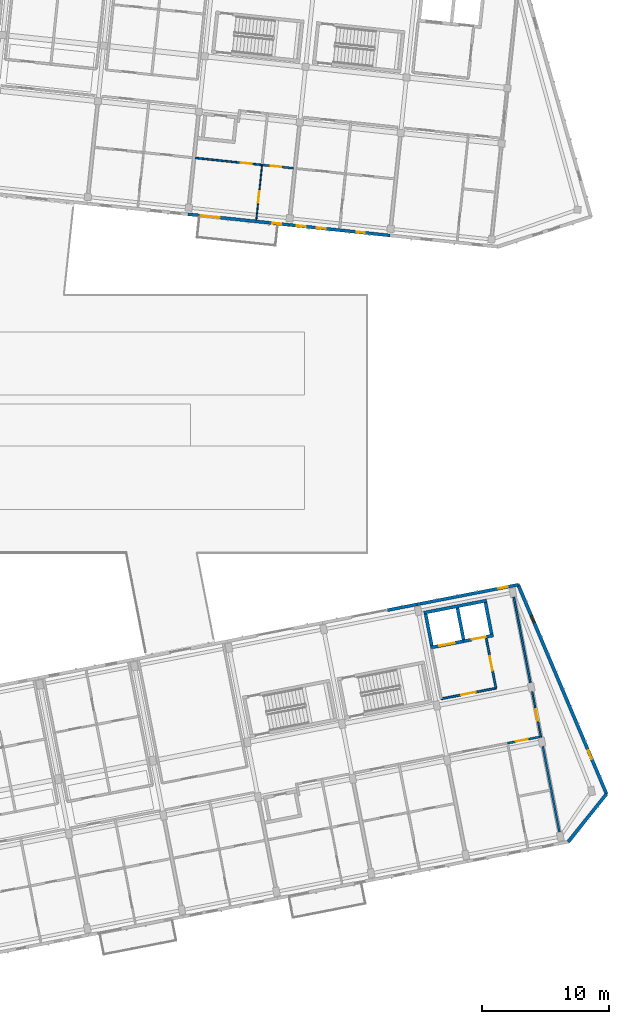
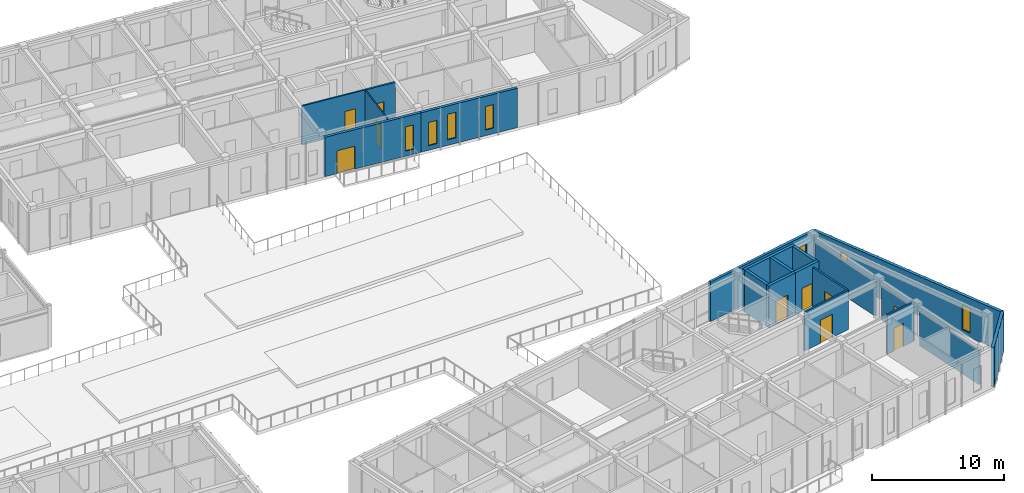
# One storey, part 102 of 150: 21 walls, 10 doors, 7 windows, 17 openings.
"""IFC4 building model written with IfcOpenShell, lengths in metres."""

from ifc_helpers import new_model, si_unit, direction, frame, frame_2d, origin, place, context, subcontext, project, spatial, rectangle, extrude, material, layer, layer_set, type_object, element, fill, save


model = new_model("IFC4")

# Units and contexts
model_context = context("Model", 3, precision=1e-05, world=origin(), true_north=direction((0.0, 1.0)))
body_context = subcontext(model_context, "Body", "Model", "MODEL_VIEW")
ifc_project = project(units=[si_unit("LENGTHUNIT", "METRE"), si_unit("AREAUNIT", "SQUARE_METRE"), si_unit("VOLUMEUNIT", "CUBIC_METRE"), si_unit("PLANEANGLEUNIT", "RADIAN"), si_unit("MASSUNIT", "GRAM", prefix="KILO")], contexts=[model_context])

# Site, building, storey
site_placement = place(None, origin())
site = spatial("IfcSite", under=ifc_project, at=site_placement, CompositionType="ELEMENT")
building_placement = place(site_placement, origin())
building = spatial("IfcBuilding", under=site, at=building_placement, Name="Kestramere Prow Commons", CompositionType="ELEMENT")
storey_placement = place(building_placement, frame((0.0, 0.0, 4.5)))
storey = spatial("IfcBuildingStorey", under=building, at=storey_placement, Name="L01", CompositionType="ELEMENT", Elevation=4.5)

# Wall, openings, windows
ifc_material_1 = material(Name="Weathered Zinc-Titanium Standing-Seam Cladding")
ifc_layer_1 = layer(ifc_material_1, 0.260009765625)
ifc_layer_set_1 = layer_set([ifc_layer_1], Name="Weathered Zinc-Titanium Standing-Seam Cladding")
wall_type_1 = type_object("IfcWallType", Name="EW-PROW-260", PredefinedType="SOLIDWALL", material=ifc_layer_set_1)
wall_1_placement = place(storey_placement, frame((159.83740234375, 62.556396484375, 0.0), z_axis=(0.0, 0.0, 1.0), x_axis=(0.389225507936, -0.921142499276, 0.0)))
wall_1 = element("IfcWall", 1, at=wall_1_placement, inside=storey, type_object=wall_type_1, Name="Block D L01 PRW-N Facet Wall", PredefinedType="SOLIDWALL", context=body_context, shape_type="SweptSolid", body=[
    extrude(rectangle(XDim=17.910400390625, YDim=0.260009765625, at=frame_2d((8.955078125, 0.0))), origin(), (0.0, 0.0, 1.0), 3.64990234375),
])
opening_1_placement = place(wall_1_placement, frame((2.6298828125, 0.0, 0.52001953125)))
opening_1 = element("IfcOpeningElement", 2, at=opening_1_placement, cuts=wall_1, Name="Opening WN-02", PredefinedType="OPENING", context=body_context, shape_type="SweptSolid", body=[
    extrude(rectangle(XDim=0.60009765625, YDim=2.219970703125, at=frame_2d((0.300048828125, 1.10986328125))), frame((0.0, 0.14501953125, 0.0), z_axis=(0.0, -1.0, 0.0), x_axis=(1.0, 0.0, 0.0)), (0.0, 0.0, 1.0), 0.2900390625),
])
opening_2_placement = place(wall_1_placement, frame((14.180419921875, 0.0, 0.449951171875)))
opening_2 = element("IfcOpeningElement", 3, at=opening_2_placement, cuts=wall_1, Name="Opening WN-09", PredefinedType="OPENING", context=body_context, shape_type="SweptSolid", body=[
    extrude(rectangle(XDim=0.739990234375, YDim=2.260009765625, at=frame_2d((0.3701171875, 1.1298828125))), frame((0.0, 0.14501953125, 0.0), z_axis=(0.0, -1.0, 0.0), x_axis=(1.0, 0.0, 0.0)), (0.0, 0.0, 1.0), 0.2900390625),
])
ifc_material_2 = material(Name="Low-E Laminated Double Glazing", Category="glass")
window_type_1 = type_object("IfcWindowType", Name="WN-NAR-600A", PartitioningType="SINGLE_PANEL", PredefinedType="WINDOW", material=ifc_material_2)
window_1_placement = place(opening_1_placement, origin())
window_1 = element("IfcWindow", 4, at=window_1_placement, inside=storey, type_object=window_type_1, Name="WN-D-L01-PRW-N-0", OverallHeight=2.219970703125, OverallWidth=0.60009765625, PartitioningType="SINGLE_PANEL", PredefinedType="WINDOW", context=body_context, shape_type="SweptSolid", body=[
    extrude(rectangle(XDim=0.60009765625, YDim=2.219970703125, at=frame_2d((0.300048828125, 1.10986328125))), frame((0.0, 0.030029296875, 0.0), z_axis=(0.0, -1.0, 0.0), x_axis=(1.0, 0.0, 0.0)), (0.0, 0.0, 1.0), 0.06005859375),
])
fill(opening_1, window_1)
window_type_2 = type_object("IfcWindowType", Name="WN-NAR-740A", PartitioningType="SINGLE_PANEL", PredefinedType="WINDOW", material=ifc_material_2)
window_2_placement = place(opening_2_placement, origin())
window_2 = element("IfcWindow", 5, at=window_2_placement, inside=storey, type_object=window_type_2, Name="WN-D-L01-PRW-N-1", OverallHeight=2.260009765625, OverallWidth=0.739990234375, PartitioningType="SINGLE_PANEL", PredefinedType="WINDOW", context=body_context, shape_type="SweptSolid", body=[
    extrude(rectangle(XDim=0.739990234375, YDim=2.260009765625, at=frame_2d((0.3701171875, 1.1298828125))), frame((0.0, 0.030029296875, 0.0), z_axis=(0.0, -1.0, 0.0), x_axis=(1.0, 0.0, 0.0)), (0.0, 0.0, 1.0), 0.06005859375),
])
fill(opening_2, window_2)

# Wall
wall_2_placement = place(storey_placement, frame((166.80859375, 46.058349609375, 0.0), z_axis=(0.0, 0.0, 1.0), x_axis=(-0.626281072923, -0.779597343312, 0.0)))
element("IfcWall", 6, at=wall_2_placement, inside=storey, type_object=wall_type_1, Name="Block D L01 PRW-S Facet Wall", PredefinedType="SOLIDWALL", context=body_context, shape_type="SweptSolid", body=[
    extrude(rectangle(XDim=4.83935546875, YDim=0.260009765625, at=frame_2d((2.419677734375, 0.0))), origin(), (0.0, 0.0, 1.0), 3.64990234375),
])

# Wall, openings, door, window
ifc_material_3 = material(Name="Fluoropolymer Standing-Seam Zinc-Aluminium Cladding", Category="aluminium")
ifc_layer_2 = layer(ifc_material_3, 0.239990234375)
ifc_layer_set_2 = layer_set([ifc_layer_2], Name="Fluoropolymer Standing-Seam Zinc-Aluminium Cladding")
wall_type_2 = type_object("IfcWallType", Name="EW-SEAM-240", PredefinedType="SOLIDWALL", material=ifc_layer_set_2)
wall_3_placement = place(storey_placement, frame((141.769775390625, 90.932861328125, 0.0), z_axis=(0.0, 0.0, 1.0), x_axis=(-0.994519156568, 0.104554517933, 0.0)))
wall_3 = element("IfcWall", 7, at=wall_3_placement, inside=storey, type_object=wall_type_2, Name="Block B L01 South Standing-Seam Wall 4", PredefinedType="SOLIDWALL", context=body_context, shape_type="SweptSolid", body=[
    extrude(rectangle(XDim=8.0, YDim=0.239990234375, at=frame_2d((4.0, 0.0))), origin(), (0.0, 0.0, 1.0), 3.64990234375),
])
opening_3_placement = place(wall_3_placement, frame((5.4951171875, 0.0, 0.0)))
opening_3 = element("IfcOpeningElement", 8, at=opening_3_placement, cuts=wall_3, Name="Opening GD-BAL-01", PredefinedType="OPENING", context=body_context, shape_type="SweptSolid", body=[
    extrude(rectangle(XDim=1.5, YDim=2.1201171875, at=frame_2d((0.75, 1.06005859375))), frame((0.0, 0.135009765625, 0.0), z_axis=(0.0, -1.0, 0.0), x_axis=(1.0, 0.0, 0.0)), (0.0, 0.0, 1.0), 0.27001953125),
])
opening_4_placement = place(wall_3_placement, frame((0.6298828125, 0.0, 0.4599609375)))
opening_4 = element("IfcOpeningElement", 9, at=opening_4_placement, cuts=wall_3, Name="Opening WN-06", PredefinedType="OPENING", context=body_context, shape_type="SweptSolid", body=[
    extrude(rectangle(XDim=0.679931640625, YDim=2.239990234375, at=frame_2d((0.33984375, 1.1201171875))), frame((0.0, 0.135009765625, 0.0), z_axis=(0.0, -1.0, 0.0), x_axis=(1.0, 0.0, 0.0)), (0.0, 0.0, 1.0), 0.27001953125),
])
ifc_material_4 = material(Name="Thermally-Broken Anodised Aluminium Glazed", Category="aluminium")
door_type_1 = type_object("IfcDoorType", Name="GD-BAL-1500", OperationType="SLIDING_TO_RIGHT", PredefinedType="DOOR", material=ifc_material_4)
door_1_placement = place(opening_3_placement, origin())
door_1 = element("IfcDoor", 10, at=door_1_placement, inside=storey, type_object=door_type_1, Name="Block B L01 Balcony Door 4", OperationType="SLIDING_TO_RIGHT", OverallHeight=2.1201171875, OverallWidth=1.5, PredefinedType="DOOR", context=body_context, shape_type="SweptSolid", body=[
    extrude(rectangle(XDim=1.5, YDim=2.1201171875, at=frame_2d((0.75, 1.06005859375))), frame((0.0, 0.02490234375, 0.0), z_axis=(0.0, -1.0, 0.0), x_axis=(1.0, 0.0, 0.0)), (0.0, 0.0, 1.0), 0.050048828125),
])
fill(opening_3, door_1)
window_type_3 = type_object("IfcWindowType", Name="WN-NAR-680A", PartitioningType="SINGLE_PANEL", PredefinedType="WINDOW", material=ifc_material_2)
window_3_placement = place(opening_4_placement, origin())
window_3 = element("IfcWindow", 11, at=window_3_placement, inside=storey, type_object=window_type_3, Name="WN-B-L01-SR-3", OverallHeight=2.239990234375, OverallWidth=0.679931640625, PartitioningType="SINGLE_PANEL", PredefinedType="WINDOW", context=body_context, shape_type="SweptSolid", body=[
    extrude(rectangle(XDim=0.679931640625, YDim=2.239990234375, at=frame_2d((0.33984375, 1.1201171875))), frame((0.0, 0.030029296875, 0.0), z_axis=(0.0, -1.0, 0.0), x_axis=(1.0, 0.0, 0.0)), (0.0, 0.0, 1.0), 0.06005859375),
])
fill(opening_4, window_3)

# Wall, openings, windows
wall_4_placement = place(storey_placement, frame((149.72607421875, 90.0966796875, 0.0), z_axis=(0.0, 0.0, 1.0), x_axis=(-0.994522662826, 0.104521161134, 0.0)))
wall_4 = element("IfcWall", 12, at=wall_4_placement, inside=storey, type_object=wall_type_2, Name="Block B L01 South Standing-Seam Wall 5", PredefinedType="SOLIDWALL", context=body_context, shape_type="SweptSolid", body=[
    extrude(rectangle(XDim=8.0, YDim=0.239990234375, at=frame_2d((4.0, 0.0))), origin(), (0.0, 0.0, 1.0), 3.64990234375),
])
opening_5_placement = place(wall_4_placement, frame((2.00146484375, 0.0, 0.52001953125)))
opening_5 = element("IfcOpeningElement", 13, at=opening_5_placement, cuts=wall_4, Name="Opening WN-04", PredefinedType="OPENING", context=body_context, shape_type="SweptSolid", body=[
    extrude(rectangle(XDim=0.639892578125, YDim=2.179931640625, at=frame_2d((0.31982421875, 1.08984375))), frame((0.0, 0.135009765625, 0.0), z_axis=(0.0, -1.0, 0.0), x_axis=(1.0, 0.0, 0.0)), (0.0, 0.0, 1.0), 0.27001953125),
])
opening_6_placement = place(wall_4_placement, frame((5.10009765625, 0.0, 0.52001953125)))
opening_6 = element("IfcOpeningElement", 14, at=opening_6_placement, cuts=wall_4, Name="Opening WN-07", PredefinedType="OPENING", context=body_context, shape_type="SweptSolid", body=[
    extrude(rectangle(XDim=0.699951171875, YDim=2.360107421875, at=frame_2d((0.35009765625, 1.18017578125))), frame((0.0, 0.135009765625, 0.0), z_axis=(0.0, -1.0, 0.0), x_axis=(1.0, 0.0, 0.0)), (0.0, 0.0, 1.0), 0.27001953125),
])
opening_7_placement = place(wall_4_placement, frame((6.669921875, 0.0, 0.419921875)))
opening_7 = element("IfcOpeningElement", 15, at=opening_7_placement, cuts=wall_4, Name="Opening WN-08", PredefinedType="OPENING", context=body_context, shape_type="SweptSolid", body=[
    extrude(rectangle(XDim=0.719970703125, YDim=2.159912109375, at=frame_2d((0.35986328125, 1.080078125))), frame((0.0, 0.135009765625, 0.0), z_axis=(0.0, -1.0, 0.0), x_axis=(1.0, 0.0, 0.0)), (0.0, 0.0, 1.0), 0.27001953125),
])
window_type_4 = type_object("IfcWindowType", Name="WN-NAR-640A", PartitioningType="SINGLE_PANEL", PredefinedType="WINDOW", material=ifc_material_2)
window_4_placement = place(opening_5_placement, origin())
window_4 = element("IfcWindow", 16, at=window_4_placement, inside=storey, type_object=window_type_4, Name="WN-B-L01-S-4-00", OverallHeight=2.179931640625, OverallWidth=0.639892578125, PartitioningType="SINGLE_PANEL", PredefinedType="WINDOW", context=body_context, shape_type="SweptSolid", body=[
    extrude(rectangle(XDim=0.639892578125, YDim=2.179931640625, at=frame_2d((0.31982421875, 1.08984375))), frame((0.0, 0.030029296875, 0.0), z_axis=(0.0, -1.0, 0.0), x_axis=(1.0, 0.0, 0.0)), (0.0, 0.0, 1.0), 0.06005859375),
])
fill(opening_5, window_4)
window_type_5 = type_object("IfcWindowType", Name="WN-NAR-700A", PartitioningType="SINGLE_PANEL", PredefinedType="WINDOW", material=ifc_material_2)
window_5_placement = place(opening_6_placement, origin())
window_5 = element("IfcWindow", 17, at=window_5_placement, inside=storey, type_object=window_type_5, Name="WN-B-L01-S-4-10", OverallHeight=2.360107421875, OverallWidth=0.699951171875, PartitioningType="SINGLE_PANEL", PredefinedType="WINDOW", context=body_context, shape_type="SweptSolid", body=[
    extrude(rectangle(XDim=0.699951171875, YDim=2.360107421875, at=frame_2d((0.35009765625, 1.18017578125))), frame((0.0, 0.030029296875, 0.0), z_axis=(0.0, -1.0, 0.0), x_axis=(1.0, 0.0, 0.0)), (0.0, 0.0, 1.0), 0.06005859375),
])
fill(opening_6, window_5)
window_type_6 = type_object("IfcWindowType", Name="WN-NAR-720A", PartitioningType="SINGLE_PANEL", PredefinedType="WINDOW", material=ifc_material_2)
window_6_placement = place(opening_7_placement, origin())
window_6 = element("IfcWindow", 18, at=window_6_placement, inside=storey, type_object=window_type_6, Name="WN-B-L01-S-4-11", OverallHeight=2.159912109375, OverallWidth=0.719970703125, PartitioningType="SINGLE_PANEL", PredefinedType="WINDOW", context=body_context, shape_type="SweptSolid", body=[
    extrude(rectangle(XDim=0.719970703125, YDim=2.159912109375, at=frame_2d((0.35986328125, 1.080078125))), frame((0.0, 0.030029296875, 0.0), z_axis=(0.0, -1.0, 0.0), x_axis=(1.0, 0.0, 0.0)), (0.0, 0.0, 1.0), 0.06005859375),
])
fill(opening_7, window_6)

# Wall
wall_5_placement = place(storey_placement, frame((149.530517578125, 60.552734375, 0.0), z_axis=(0.0, 0.0, 1.0), x_axis=(0.98161057432, 0.190894422087, 0.0)))
element("IfcWall", 19, at=wall_5_placement, inside=storey, type_object=wall_type_2, Name="Block D L01 North Standing-Seam Pier 5R", PredefinedType="SOLIDWALL", context=body_context, shape_type="SweptSolid", body=[
    extrude(rectangle(XDim=2.375, YDim=0.239990234375, at=frame_2d((1.1875, 0.0))), origin(), (0.0, 0.0, 1.0), 3.64990234375),
])

# Wall, opening, window
wall_6_placement = place(storey_placement, frame((151.86181640625, 61.006103515625, 0.0), z_axis=(0.0, 0.0, 1.0), x_axis=(0.981627273155, 0.190808533872, 0.0)))
wall_6 = element("IfcWall", 20, at=wall_6_placement, inside=storey, type_object=wall_type_2, Name="Block D L01 North Standing-Seam Wall 6", PredefinedType="SOLIDWALL", context=body_context, shape_type="SweptSolid", body=[
    extrude(rectangle(XDim=8.124755859375, YDim=0.239990234375, at=frame_2d((4.0625, 0.0))), origin(), (0.0, 0.0, 1.0), 3.64990234375),
])
opening_8_placement = place(wall_6_placement, frame((6.52490234375, 0.0, 0.449951171875)))
opening_8 = element("IfcOpeningElement", 21, at=opening_8_placement, cuts=wall_6, Name="Opening WN-19", PredefinedType="OPENING", context=body_context, shape_type="SweptSolid", body=[
    extrude(rectangle(XDim=0.75, YDim=2.320068359375, at=frame_2d((0.375, 1.16015625))), frame((0.0, 0.135009765625, 0.0), z_axis=(0.0, -1.0, 0.0), x_axis=(1.0, 0.0, 0.0)), (0.0, 0.0, 1.0), 0.27001953125),
])
window_type_7 = type_object("IfcWindowType", Name="WN-CLER-1800", PartitioningType="SINGLE_PANEL", PredefinedType="WINDOW", material=ifc_material_2)
window_7_placement = place(opening_8_placement, origin())
window_7 = element("IfcWindow", 22, at=window_7_placement, inside=storey, type_object=window_type_7, Name="Block D L01 Core Lobby Slot Window", OverallHeight=2.320068359375, OverallWidth=0.75, PartitioningType="SINGLE_PANEL", PredefinedType="WINDOW", context=body_context, shape_type="SweptSolid", body=[
    extrude(rectangle(XDim=0.75, YDim=2.320068359375, at=frame_2d((0.375, 1.16015625))), frame((0.0, 0.030029296875, 0.0), z_axis=(0.0, -1.0, 0.0), x_axis=(1.0, 0.0, 0.0)), (0.0, 0.0, 1.0), 0.06005859375),
])
fill(opening_8, window_7)

# Wall
ifc_material_5 = material(Name="Concrete C40/50", Category="concrete")
ifc_layer_3 = layer(ifc_material_5, 0.25)
ifc_layer_set_3 = layer_set([ifc_layer_3], Name="Concrete C40/50")
wall_type_3 = type_object("IfcWallType", Name="W-CORE-250", PredefinedType="SHEAR", material=ifc_layer_set_3)
wall_7_placement = place(storey_placement, frame((152.3974609375, 60.34619140625, 0.0), z_axis=(0.0, 0.0, 1.0), x_axis=(0.981635261308, 0.190767433692, 0.0)))
element("IfcWall", 23, at=wall_7_placement, inside=storey, type_object=wall_type_3, Name="Block D L01 Lift Core Back Wall", PredefinedType="SHEAR", context=body_context, shape_type="SweptSolid", body=[
    extrude(rectangle(XDim=5.050048828125, YDim=0.25, at=frame_2d((2.52490234375, 0.0))), origin(), (0.0, 0.0, 1.0), 3.89990234375),
])

# Wall, opening, door
wall_8_placement = place(storey_placement, frame((152.931884765625, 57.59765625, 0.0), z_axis=(0.0, 0.0, 1.0), x_axis=(0.981636759622, 0.190759723627, 0.0)))
wall_8 = element("IfcWall", 24, at=wall_8_placement, inside=storey, type_object=wall_type_3, Name="Block D L01 Fire Lift Shaft Front Wall", PredefinedType="SHEAR", context=body_context, shape_type="SweptSolid", body=[
    extrude(rectangle(XDim=2.6748046875, YDim=0.25, at=frame_2d((1.33740234375, 0.0))), origin(), (0.0, 0.0, 1.0), 3.89990234375),
])
opening_9_placement = place(wall_8_placement, frame((0.719970703125, 0.0, 0.0)))
opening_9 = element("IfcOpeningElement", 25, at=opening_9_placement, cuts=wall_8, Name="Opening LD-02", PredefinedType="OPENING", context=body_context, shape_type="SweptSolid", body=[
    extrude(rectangle(XDim=1.199951171875, YDim=2.199951171875, at=frame_2d((0.60009765625, 1.10009765625))), frame((0.0, 0.139892578125, 0.0), z_axis=(0.0, -1.0, 0.0), x_axis=(1.0, 0.0, 0.0)), (0.0, 0.0, 1.0), 0.280029296875),
])
ifc_material_6 = material(Name="Brushed Stainless Steel 316", Category="steel")
door_type_2 = type_object("IfcDoorType", Name="LD-02", OperationType="DOUBLE_DOOR_SLIDING", PredefinedType="DOOR", material=ifc_material_6)
door_2_placement = place(opening_9_placement, origin())
door_2 = element("IfcDoor", 26, at=door_2_placement, inside=storey, type_object=door_type_2, Name="FL-D1 L01 Lift Landing Door", OperationType="DOUBLE_DOOR_SLIDING", OverallHeight=2.199951171875, OverallWidth=1.199951171875, PredefinedType="DOOR", context=body_context, shape_type="SweptSolid", body=[
    extrude(rectangle(XDim=1.199951171875, YDim=2.199951171875, at=frame_2d((0.60009765625, 1.10009765625))), frame((0.0, 0.02490234375, 0.0), z_axis=(0.0, -1.0, 0.0), x_axis=(1.0, 0.0, 0.0)), (0.0, 0.0, 1.0), 0.050048828125),
])
fill(opening_9, door_2)

wall_9_placement = place(storey_placement, frame((155.5576171875, 58.10791015625, 0.0), z_axis=(0.0, 0.0, 1.0), x_axis=(0.981633573872, 0.190776116556, 0.0)))
wall_9 = element("IfcWall", 27, at=wall_9_placement, inside=storey, type_object=wall_type_3, Name="Block D L01 Passenger Lift Shaft Front Wall", PredefinedType="SHEAR", context=body_context, shape_type="SweptSolid", body=[
    extrude(rectangle(XDim=2.375244140625, YDim=0.25, at=frame_2d((1.1875, 0.0))), origin(), (0.0, 0.0, 1.0), 3.89990234375),
])
opening_10_placement = place(wall_9_placement, frame((0.64990234375, 0.0, 0.0)))
opening_10 = element("IfcOpeningElement", 28, at=opening_10_placement, cuts=wall_9, Name="Opening LD-01", PredefinedType="OPENING", context=body_context, shape_type="SweptSolid", body=[
    extrude(rectangle(XDim=1.10009765625, YDim=2.14990234375, at=frame_2d((0.550048828125, 1.074951171875))), frame((0.0, 0.139892578125, 0.0), z_axis=(0.0, -1.0, 0.0), x_axis=(1.0, 0.0, 0.0)), (0.0, 0.0, 1.0), 0.280029296875),
])
ifc_material_7 = material(Name="Brushed Stainless Steel 304", Category="steel")
door_type_3 = type_object("IfcDoorType", Name="LD-01", OperationType="DOUBLE_DOOR_SLIDING", PredefinedType="DOOR", material=ifc_material_7)
door_3_placement = place(opening_10_placement, origin())
door_3 = element("IfcDoor", 29, at=door_3_placement, inside=storey, type_object=door_type_3, Name="PL-D2 L01 Lift Landing Door", OperationType="DOUBLE_DOOR_SLIDING", OverallHeight=2.14990234375, OverallWidth=1.10009765625, PredefinedType="DOOR", context=body_context, shape_type="SweptSolid", body=[
    extrude(rectangle(XDim=1.10009765625, YDim=2.14990234375, at=frame_2d((0.550048828125, 1.074951171875))), frame((0.0, 0.02490234375, 0.0), z_axis=(0.0, -1.0, 0.0), x_axis=(1.0, 0.0, 0.0)), (0.0, 0.0, 1.0), 0.050048828125),
])
fill(opening_10, door_3)

# Walls
for number, where, z_axis, x_axis, name in (
    (30, (153.03076171875, 57.744140625, 0.0), (0.0, 0.0, 1.0), (-0.190810719655, 0.98162684828, 0.0), "Block D L01 Lift Core Side Wall L"),
    (31, (155.533935546875, 58.230712890625, 0.0), (0.0, 0.0, 1.0), (-0.190810719655, 0.98162684828, 0.0), "Block D L01 Lift Core Side Wall M"),
    (32, (157.742431640625, 58.659912109375, 0.0), (0.0, 0.0, 1.0), (-0.190810719655, 0.98162684828, 0.0), "Block D L01 Lift Core Side Wall R"),
):
    element("IfcWall", number, at=place(storey_placement, frame(where, z_axis=z_axis, x_axis=x_axis)), inside=storey, type_object=wall_type_3, Name=name, PredefinedType="SHEAR", context=body_context, shape_type="SweptSolid", body=[
        extrude(rectangle(XDim=2.550048828125, YDim=0.25, at=frame_2d((1.27490234375, 0.0))), origin(), (0.0, 0.0, 1.0), 3.89990234375),
    ])

# Wall, opening, door
ifc_material_8 = material(Name="Fire-Rated Calcium Silicate Wall")
ifc_layer_4 = layer(ifc_material_8, 0.155029296875)
ifc_layer_set_4 = layer_set([ifc_layer_4], Name="Fire-Rated Calcium Silicate Wall")
wall_type_4 = type_object("IfcWallType", Name="W-FIRE-150", PredefinedType="PARTITIONING", material=ifc_layer_set_4)
wall_10_placement = place(storey_placement, frame((153.76806640625, 53.557861328125, 0.0), z_axis=(0.0, 0.0, 1.0), x_axis=(0.981624918225, 0.190820648566, 0.0)))
wall_10 = element("IfcWall", 33, at=wall_10_placement, inside=storey, type_object=wall_type_4, Name="Interior Partition PW-D-L01-FFL-S", PredefinedType="PARTITIONING", context=body_context, shape_type="SweptSolid", body=[
    extrude(rectangle(XDim=4.39990234375, YDim=0.155029296875, at=frame_2d((2.199951171875, 0.0))), origin(), (0.0, 0.0, 1.0), 3.6201171875),
])
opening_11_placement = place(wall_10_placement, frame((1.60009765625, 0.0, 0.0)))
opening_11 = element("IfcOpeningElement", 34, at=opening_11_placement, cuts=wall_10, Name="Opening ID-03", PredefinedType="OPENING", context=body_context, shape_type="SweptSolid", body=[
    extrude(rectangle(XDim=1.179931640625, YDim=2.14990234375, at=frame_2d((0.58984375, 1.074951171875))), frame((0.0, 0.092529296875, 0.0), z_axis=(0.0, -1.0, 0.0), x_axis=(1.0, 0.0, 0.0)), (0.0, 0.0, 1.0), 0.18505859375),
])
ifc_material_9 = material(Name="Fire-Rated Glazed Smoke-Stop Door")
door_type_4 = type_object("IfcDoorType", Name="FD-LB-01", OperationType="NOTDEFINED", PredefinedType="DOOR", material=ifc_material_9)
door_4_placement = place(opening_11_placement, origin())
door_4 = element("IfcDoor", 35, at=door_4_placement, inside=storey, type_object=door_type_4, Name="Interior Door DR-D-L01-FFL", OperationType="SINGLE_SWING_RIGHT", OverallHeight=2.14990234375, OverallWidth=1.179931640625, PredefinedType="DOOR", context=body_context, shape_type="SweptSolid", body=[
    extrude(rectangle(XDim=1.179931640625, YDim=2.14990234375, at=frame_2d((0.58984375, 1.074951171875))), frame((0.0, 0.02490234375, 0.0), z_axis=(0.0, -1.0, 0.0), x_axis=(1.0, 0.0, 0.0)), (0.0, 0.0, 1.0), 0.050048828125),
])
fill(opening_11, door_4)

wall_11_placement = place(storey_placement, frame((158.087158203125, 54.3974609375, 0.0), z_axis=(0.0, 0.0, 1.0), x_axis=(-0.190796144009, 0.981629681413, 0.0)))
wall_11 = element("IfcWall", 36, at=wall_11_placement, inside=storey, type_object=wall_type_4, Name="Interior Partition PW-D-L01-FFL-E", PredefinedType="PARTITIONING", context=body_context, shape_type="SweptSolid", body=[
    extrude(rectangle(XDim=4.0, YDim=0.155029296875, at=frame_2d((2.0, 0.0))), origin(), (0.0, 0.0, 1.0), 3.6201171875),
])
opening_12_placement = place(wall_11_placement, frame((1.39990234375, 0.0, 0.0)))
opening_12 = element("IfcOpeningElement", 37, at=opening_12_placement, cuts=wall_11, Name="Opening ID-03", PredefinedType="OPENING", context=body_context, shape_type="SweptSolid", body=[
    extrude(rectangle(XDim=1.179931640625, YDim=2.14990234375, at=frame_2d((0.58984375, 1.074951171875))), frame((0.0, 0.092529296875, 0.0), z_axis=(0.0, -1.0, 0.0), x_axis=(1.0, 0.0, 0.0)), (0.0, 0.0, 1.0), 0.18505859375),
])
door_5_placement = place(opening_12_placement, origin())
door_5 = element("IfcDoor", 38, at=door_5_placement, inside=storey, type_object=door_type_4, Name="Interior Door DR-D-L01-FFL-PL", OperationType="SINGLE_SWING_LEFT", OverallHeight=2.14990234375, OverallWidth=1.179931640625, PredefinedType="DOOR", context=body_context, shape_type="SweptSolid", body=[
    extrude(rectangle(XDim=1.179931640625, YDim=2.14990234375, at=frame_2d((0.58984375, 1.074951171875))), frame((0.0, 0.02490234375, 0.0), z_axis=(0.0, -1.0, 0.0), x_axis=(1.0, 0.0, 0.0)), (0.0, 0.0, 1.0), 0.050048828125),
])
fill(opening_12, door_5)

ifc_material_10 = material(Name="Lightweight Blockwork and Plaster", Category="masonry")
ifc_layer_5 = layer(ifc_material_10, 0.1201171875)
ifc_layer_set_5 = layer_set([ifc_layer_5], Name="Lightweight Blockwork and Plaster")
wall_type_5 = type_object("IfcWallType", Name="W-PART-120", PredefinedType="PARTITIONING", material=ifc_layer_set_5)
wall_12_placement = place(storey_placement, frame((161.643310546875, 50.5146484375, 0.0), z_axis=(0.0, 0.0, 1.0), x_axis=(-0.190805731561, 0.981627817864, 0.0)))
wall_12 = element("IfcWall", 39, at=wall_12_placement, inside=storey, type_object=wall_type_5, Name="Interior Partition PW-D-L01-PROW-ACC", PredefinedType="PARTITIONING", context=body_context, shape_type="SweptSolid", body=[
    extrude(rectangle(XDim=3.679931640625, YDim=0.1201171875, at=frame_2d((1.83984375, 0.0))), origin(), (0.0, 0.0, 1.0), 3.14990234375),
])
opening_13_placement = place(wall_12_placement, frame((1.35009765625, 0.0, 0.0)))
opening_13 = element("IfcOpeningElement", 40, at=opening_13_placement, cuts=wall_12, Name="Opening ID-08", PredefinedType="OPENING", context=body_context, shape_type="SweptSolid", body=[
    extrude(rectangle(XDim=0.89990234375, YDim=2.10009765625, at=frame_2d((0.449951171875, 1.050048828125))), frame((0.0, 0.074951171875, 0.0), z_axis=(0.0, -1.0, 0.0), x_axis=(1.0, 0.0, 0.0)), (0.0, 0.0, 1.0), 0.150146484375),
])
ifc_material_11 = material(Name="Engineered Timber Flush Door", Category="wood")
door_type_5 = type_object("IfcDoorType", Name="D-RM-01", OperationType="NOTDEFINED", PredefinedType="DOOR", material=ifc_material_11)
door_6_placement = place(opening_13_placement, origin())
door_6 = element("IfcDoor", 41, at=door_6_placement, inside=storey, type_object=door_type_5, Name="Interior Door DR-D-L01-PROW", OperationType="SINGLE_SWING_LEFT", OverallHeight=2.10009765625, OverallWidth=0.89990234375, PredefinedType="DOOR", context=body_context, shape_type="SweptSolid", body=[
    extrude(rectangle(XDim=0.89990234375, YDim=2.10009765625, at=frame_2d((0.449951171875, 1.050048828125))), frame((0.0, 0.02490234375, 0.0), z_axis=(0.0, -1.0, 0.0), x_axis=(1.0, 0.0, 0.0)), (0.0, 0.0, 1.0), 0.050048828125),
])
fill(opening_13, door_6)

ifc_layer_6 = layer(ifc_material_10, 0.1298828125)
ifc_layer_set_6 = layer_set([ifc_layer_6], Name="Lightweight Blockwork and Plaster")
wall_type_6 = type_object("IfcWallType", Name="W-PART-130", PredefinedType="PARTITIONING", material=ifc_layer_set_6)
wall_13_placement = place(storey_placement, frame((134.395751953125, 96.207763671875, 0.0), z_axis=(0.0, 0.0, 1.0), x_axis=(0.994520390767, -0.104542777606, 0.0)))
wall_13 = element("IfcWall", 42, at=wall_13_placement, inside=storey, type_object=wall_type_6, Name="Interior Partition PW-B-L01-MIDS1-3", PredefinedType="PARTITIONING", context=body_context, shape_type="SweptSolid", body=[
    extrude(rectangle(XDim=5.2802734375, YDim=0.1298828125, at=frame_2d((2.64013671875, 0.0))), origin(), (0.0, 0.0, 1.0), 3.6201171875),
])
opening_14_placement = place(wall_13_placement, frame((3.594970703125, 0.0, 0.0)))
opening_14 = element("IfcOpeningElement", 43, at=opening_14_placement, cuts=wall_13, Name="Opening ID-10", PredefinedType="OPENING", context=body_context, shape_type="SweptSolid", body=[
    extrude(rectangle(XDim=0.8798828125, YDim=2.10009765625, at=frame_2d((0.43994140625, 1.050048828125))), frame((0.0, 0.079833984375, 0.0), z_axis=(0.0, -1.0, 0.0), x_axis=(1.0, 0.0, 0.0)), (0.0, 0.0, 1.0), 0.159912109375),
])
ifc_material_12 = material(Name="Engineered Timber Bedroom Door", Category="wood")
door_type_6 = type_object("IfcDoorType", Name="D-RM-03", OperationType="NOTDEFINED", PredefinedType="DOOR", material=ifc_material_12)
door_7_placement = place(opening_14_placement, origin())
door_7 = element("IfcDoor", 44, at=door_7_placement, inside=storey, type_object=door_type_6, Name="Interior Door DR-B-L01-KL-S3", OperationType="SINGLE_SWING_RIGHT", OverallHeight=2.10009765625, OverallWidth=0.8798828125, PredefinedType="DOOR", context=body_context, shape_type="SweptSolid", body=[
    extrude(rectangle(XDim=0.8798828125, YDim=2.10009765625, at=frame_2d((0.43994140625, 1.050048828125))), frame((0.0, 0.02490234375, 0.0), z_axis=(0.0, -1.0, 0.0), x_axis=(1.0, 0.0, 0.0)), (0.0, 0.0, 1.0), 0.050048828125),
])
fill(opening_14, door_7)

# Wall
ifc_material_13 = material(Name="Masonry Compartment Wall", Category="masonry")
ifc_layer_7 = layer(ifc_material_13, 0.14990234375)
ifc_layer_set_7 = layer_set([ifc_layer_7], Name="Masonry Compartment Wall")
wall_type_7 = type_object("IfcWallType", Name="W-PART-150", PredefinedType="PARTITIONING", material=ifc_layer_set_7)
wall_14_placement = place(storey_placement, frame((160.8037109375, 54.833740234375, 0.0), z_axis=(0.0, 0.0, 1.0), x_axis=(-0.190804123115, 0.981628130507, 0.0)))
element("IfcWall", 45, at=wall_14_placement, inside=storey, type_object=wall_type_7, Name="Interior Partition PW-D-L01-PRW-N", PredefinedType="PARTITIONING", context=body_context, shape_type="SweptSolid", body=[
    extrude(rectangle(XDim=6.880126953125, YDim=0.14990234375, at=frame_2d((3.43994140625, 0.0))), origin(), (0.0, 0.0, 1.0), 3.14990234375),
])

# Wall, opening, door
ifc_material_14 = material(Name="Gypsum Acoustic Drywall")
ifc_layer_8 = layer(ifc_material_14, 0.094970703125)
ifc_layer_set_8 = layer_set([ifc_layer_8], Name="Gypsum Acoustic Drywall")
wall_type_8 = type_object("IfcWallType", Name="W-PART-95", PredefinedType="PARTITIONING", material=ifc_layer_set_8)
wall_15_placement = place(storey_placement, frame((139.193115234375, 91.339599609375, 0.0), z_axis=(0.0, 0.0, 1.0), x_axis=(0.104576436892, 0.994516851967, 0.0)))
wall_15 = element("IfcWall", 46, at=wall_15_placement, inside=storey, type_object=wall_type_8, Name="Interior Partition PW-B-L01-LB-S3", PredefinedType="PARTITIONING", context=body_context, shape_type="SweptSolid", body=[
    extrude(rectangle(XDim=4.33984375, YDim=0.094970703125, at=frame_2d((2.169921875, 0.0))), origin(), (0.0, 0.0, 1.0), 3.6201171875),
])
opening_15_placement = place(wall_15_placement, frame((1.35009765625, 0.0, 0.0)))
opening_15 = element("IfcOpeningElement", 47, at=opening_15_placement, cuts=wall_15, Name="Opening ID-08", PredefinedType="OPENING", context=body_context, shape_type="SweptSolid", body=[
    extrude(rectangle(XDim=0.89990234375, YDim=2.10009765625, at=frame_2d((0.449951171875, 1.050048828125))), frame((0.0, 0.0625, 0.0), z_axis=(0.0, -1.0, 0.0), x_axis=(1.0, 0.0, 0.0)), (0.0, 0.0, 1.0), 0.125),
])
door_8_placement = place(opening_15_placement, origin())
door_8 = element("IfcDoor", 48, at=door_8_placement, inside=storey, type_object=door_type_5, Name="Interior Door DR-B-L01-BED-S3", OperationType="SINGLE_SWING_RIGHT", OverallHeight=2.10009765625, OverallWidth=0.89990234375, PredefinedType="DOOR", context=body_context, shape_type="SweptSolid", body=[
    extrude(rectangle(XDim=0.89990234375, YDim=2.10009765625, at=frame_2d((0.449951171875, 1.050048828125))), frame((0.0, 0.02490234375, 0.0), z_axis=(0.0, -1.0, 0.0), x_axis=(1.0, 0.0, 0.0)), (0.0, 0.0, 1.0), 0.050048828125),
])
fill(opening_15, door_8)

ifc_material_15 = material(Name="Waterproof Sanitary Masonry Wall", Category="masonry")
ifc_layer_9 = layer(ifc_material_15, 0.1650390625)
ifc_layer_set_9 = layer_set([ifc_layer_9], Name="Waterproof Sanitary Masonry Wall")
wall_type_9 = type_object("IfcWallType", Name="W-PLUMB-150", PredefinedType="PLUMBINGWALL", material=ifc_layer_set_9)
wall_16_placement = place(storey_placement, frame((139.64697265625, 95.65576171875, 0.0), z_axis=(0.0, 0.0, 1.0), x_axis=(0.994522631864, -0.10452145574, 0.0)))
wall_16 = element("IfcWall", 49, at=wall_16_placement, inside=storey, type_object=wall_type_9, Name="Interior Partition PW-B-L01-MIDS2-3", PredefinedType="PLUMBINGWALL", context=body_context, shape_type="SweptSolid", body=[
    extrude(rectangle(XDim=2.489990234375, YDim=0.1650390625, at=frame_2d((1.2451171875, 0.0))), origin(), (0.0, 0.0, 1.0), 3.6201171875),
])
opening_16_placement = place(wall_16_placement, frame((0.702880859375, 0.0, 0.0)))
opening_16 = element("IfcOpeningElement", 50, at=opening_16_placement, cuts=wall_16, Name="Opening ID-11", PredefinedType="OPENING", context=body_context, shape_type="SweptSolid", body=[
    extrude(rectangle(XDim=0.820068359375, YDim=2.080078125, at=frame_2d((0.41015625, 1.0400390625))), frame((0.0, 0.097412109375, 0.0), z_axis=(0.0, -1.0, 0.0), x_axis=(1.0, 0.0, 0.0)), (0.0, 0.0, 1.0), 0.195068359375),
])
ifc_material_16 = material(Name="Moisture-Resistant Timber Bathroom Door", Category="wood")
door_type_7 = type_object("IfcDoorType", Name="D-BT-01", OperationType="NOTDEFINED", PredefinedType="DOOR", material=ifc_material_16)
door_9_placement = place(opening_16_placement, origin())
door_9 = element("IfcDoor", 51, at=door_9_placement, inside=storey, type_object=door_type_7, Name="Interior Door DR-B-L01-BTH-S3", OperationType="SINGLE_SWING_LEFT", OverallHeight=2.080078125, OverallWidth=0.820068359375, PredefinedType="DOOR", context=body_context, shape_type="SweptSolid", body=[
    extrude(rectangle(XDim=0.820068359375, YDim=2.080078125, at=frame_2d((0.41015625, 1.0400390625))), frame((0.0, 0.02490234375, 0.0), z_axis=(0.0, -1.0, 0.0), x_axis=(1.0, 0.0, 0.0)), (0.0, 0.0, 1.0), 0.050048828125),
])
fill(opening_16, door_9)

# Wall
wall_17_placement = place(storey_placement, frame((163.093505859375, 43.05419921875, 0.0), z_axis=(0.0, 0.0, 1.0), x_axis=(-0.190804123115, 0.981628130507, 0.0)))
element("IfcWall", 52, at=wall_17_placement, inside=storey, type_object=wall_type_9, Name="Interior Partition PW-D-L01-PRWE-S", PredefinedType="PLUMBINGWALL", context=body_context, shape_type="SweptSolid", body=[
    extrude(rectangle(XDim=6.880126953125, YDim=0.1650390625, at=frame_2d((3.43994140625, 0.0))), origin(), (0.0, 0.0, 1.0), 3.14990234375),
])

# Wall, opening, door
wall_18_placement = place(storey_placement, frame((159.001220703125, 50.062255859375, 0.0), z_axis=(0.0, 0.0, 1.0), x_axis=(0.981624151626, 0.190824592083, 0.0)))
wall_18 = element("IfcWall", 53, at=wall_18_placement, inside=storey, type_object=wall_type_9, Name="Interior Partition PW-D-L01-CS-5B", PredefinedType="PLUMBINGWALL", context=body_context, shape_type="SweptSolid", body=[
    extrude(rectangle(XDim=2.60986328125, YDim=0.1650390625, at=frame_2d((1.304931640625, 0.0))), origin(), (0.0, 0.0, 1.0), 3.6201171875),
])
opening_17_placement = place(wall_18_placement, frame((0.64990234375, 0.0, 0.0)))
opening_17 = element("IfcOpeningElement", 54, at=opening_17_placement, cuts=wall_18, Name="Opening ID-13", PredefinedType="OPENING", context=body_context, shape_type="SweptSolid", body=[
    extrude(rectangle(XDim=0.9599609375, YDim=2.1201171875, at=frame_2d((0.47998046875, 1.06005859375))), frame((0.0, 0.097412109375, 0.0), z_axis=(0.0, -1.0, 0.0), x_axis=(1.0, 0.0, 0.0)), (0.0, 0.0, 1.0), 0.195068359375),
])
ifc_material_17 = material(Name="Accessible Wide-Leaf Timber Door", Category="wood")
door_type_8 = type_object("IfcDoorType", Name="D-ACC-01", OperationType="NOTDEFINED", PredefinedType="DOOR", material=ifc_material_17)
door_10_placement = place(opening_17_placement, origin())
door_10 = element("IfcDoor", 55, at=door_10_placement, inside=storey, type_object=door_type_8, Name="Interior Door DR-D-L01-SKWC-5", OperationType="SINGLE_SWING_RIGHT", OverallHeight=2.1201171875, OverallWidth=0.9599609375, PredefinedType="DOOR", context=body_context, shape_type="SweptSolid", body=[
    extrude(rectangle(XDim=0.9599609375, YDim=2.1201171875, at=frame_2d((0.47998046875, 1.06005859375))), frame((0.0, 0.02490234375, 0.0), z_axis=(0.0, -1.0, 0.0), x_axis=(1.0, 0.0, 0.0)), (0.0, 0.0, 1.0), 0.050048828125),
])
fill(opening_17, door_10)

save(model, "model.ifc")
